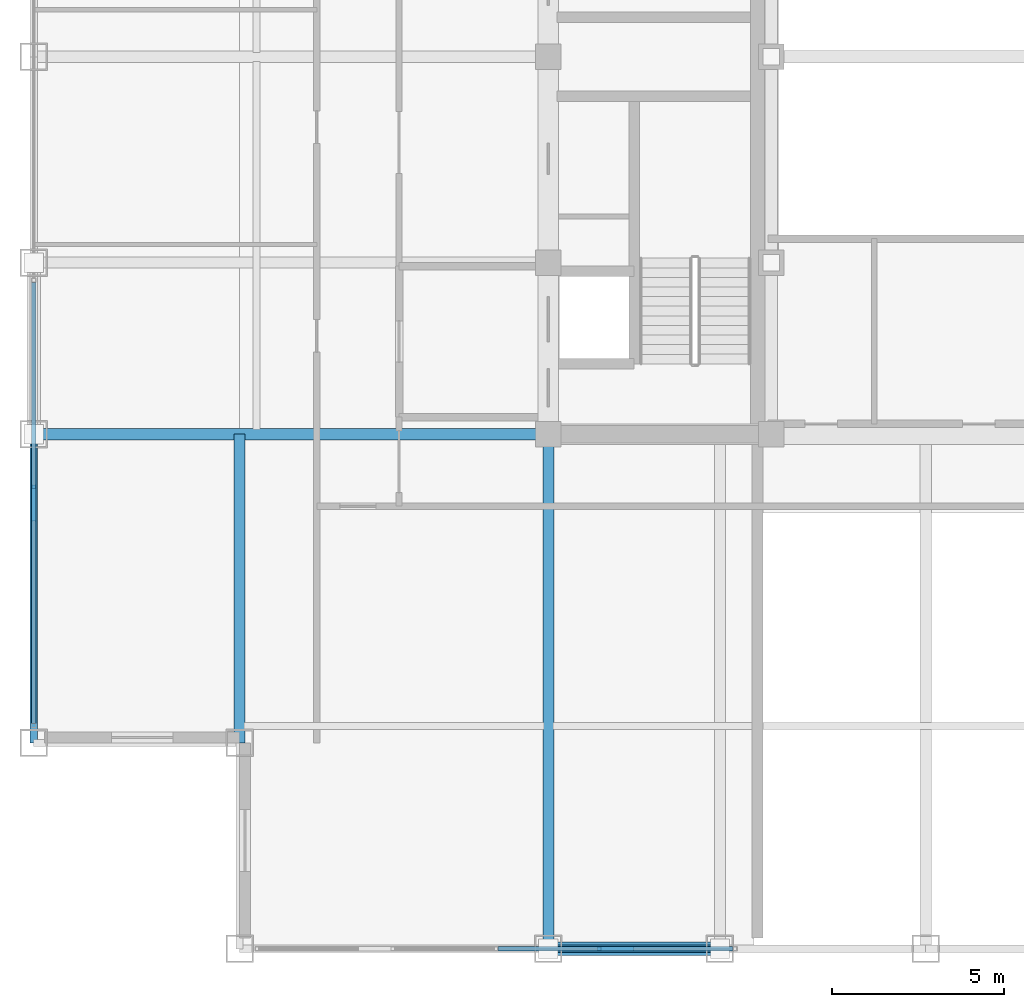
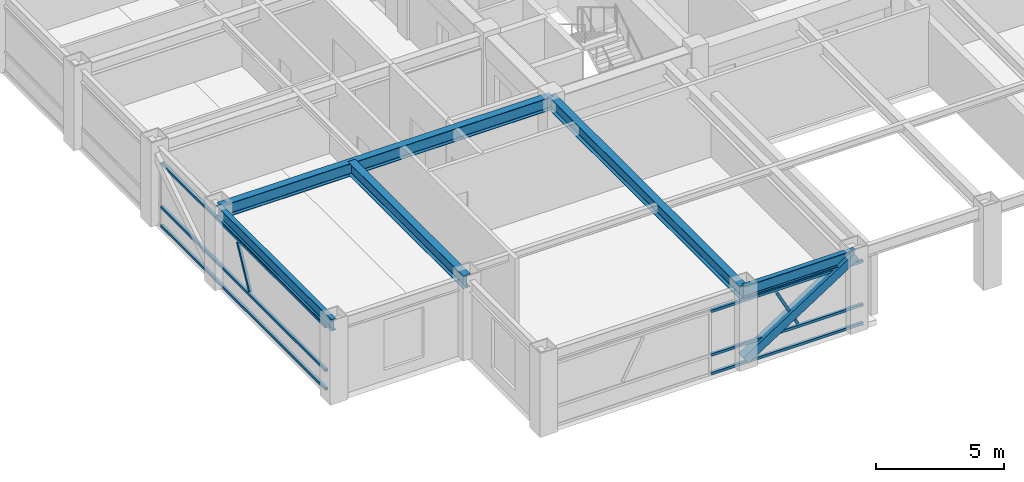
# One storey, part 3 of 29: 9 members, 5 beams, 2 elements without a shape of their own.
"""IFC4 building model written with IfcOpenShell, lengths in metres."""

from ifc_helpers import new_model, si_unit, direction, frame, origin, origin_2d, place, context, subcontext, project, spatial, hollow_rectangle, i_section, extrude, source, transform, mapped, material, material_profile, profile_set, type_object, element, aggregate, save


model = new_model("IFC4")

# Units and contexts
model_context = context("Model", 3, precision=1e-05, world=origin(), true_north=direction((0.0, 1.0)))
body_context = subcontext(model_context, "Body", "Model", "MODEL_VIEW")
ifc_project = project(units=[si_unit("LENGTHUNIT", "METRE"), si_unit("AREAUNIT", "SQUARE_METRE"), si_unit("VOLUMEUNIT", "CUBIC_METRE"), si_unit("PLANEANGLEUNIT", "RADIAN"), si_unit("MASSUNIT", "GRAM", prefix="KILO")], contexts=[model_context])

# Site, building, storey
site_placement = place(None, origin())
site = spatial("IfcSite", under=ifc_project, at=site_placement, CompositionType="ELEMENT")
building_placement = place(site_placement, origin())
building = spatial("IfcBuilding", under=site, at=building_placement, Name="Khorayat Bourse Tower", CompositionType="ELEMENT")
storey_placement = place(building_placement, frame((0.0, 0.0, 354.300048828125)))
storey = spatial("IfcBuildingStorey", under=building, at=storey_placement, Name="L84", CompositionType="ELEMENT", Elevation=354.300048828125)

# Beams
ifc_material_1 = material(Name="Steel ASTM A992 Grade 50", Category="steel")
ifc_material_profile_1 = material_profile(ifc_material_1, i_section(OverallWidth=0.214111328125, OverallDepth=0.549072265625, WebThickness=0.0146484375, FlangeThickness=0.023681640625, FilletRadius=0.013916015625, at=origin_2d()), Name="W530X138")
ifc_profile_set_1 = profile_set([ifc_material_profile_1], Name="Steel ASTM A992 Grade 50")
beam_type_1 = type_object("IfcBeamType", Name="BM-SPAN-530", PredefinedType="SPANDREL", material=ifc_profile_set_1)
shared_shape_1 = source(origin(), body_context, "Body", "SweptSolid", [
    extrude(i_section(OverallWidth=0.214111328125, OverallDepth=0.549072265625, WebThickness=0.0146484375, FlangeThickness=0.023681640625, FilletRadius=0.013916015625, at=origin_2d()), origin(), (0.0, 0.0, 1.0), 9.0),
])
beam_1_placement = place(storey_placement, frame((-26.0, -20.0, 3.46533203125), z_axis=(0.0, 1.0, 0.0), x_axis=(-1.0, 0.0, 0.0)))
element("IfcBeam", 1, at=beam_1_placement, inside=storey, type_object=beam_type_1, Name="L84 BM-SPAN-530 BM-L84-SPN-053", PredefinedType="SPANDREL", context=body_context, shape_type="MappedRepresentation", body=[
    mapped(shared_shape_1, transform((0.0, 0.0, 0.0), scale=1.0)),
])
shared_shape_2 = source(origin(), body_context, "Body", "SweptSolid", [
    extrude(i_section(OverallWidth=0.214111328125, OverallDepth=0.549072265625, WebThickness=0.0146484375, FlangeThickness=0.023681640625, FilletRadius=0.013916015625, at=origin_2d()), origin(), (0.0, 0.0, 1.0), 5.0),
])
beam_2_placement = place(storey_placement, frame((-11.0, -26.0, 3.46533203125), z_axis=(1.0, 0.0, 0.0), x_axis=(0.0, 1.0, 0.0)))
element("IfcBeam", 2, at=beam_2_placement, inside=storey, type_object=beam_type_1, Name="L84 BM-SPAN-530 BM-L84-SPN-025", PredefinedType="SPANDREL", context=body_context, shape_type="MappedRepresentation", body=[
    mapped(shared_shape_2, transform((0.0, 0.0, 0.0), scale=1.0)),
])
ifc_material_profile_2 = material_profile(ifc_material_1, i_section(OverallWidth=0.324951171875, OverallDepth=0.615966796875, WebThickness=0.013916015625, FlangeThickness=0.021484375, FilletRadius=0.01611328125, at=origin_2d()), Name="W610X174")
ifc_profile_set_2 = profile_set([ifc_material_profile_2], Name="Steel ASTM A992 Grade 50")
beam_type_2 = type_object("IfcBeamType", Name="BM-GIRD-610", PredefinedType="BEAM", material=ifc_profile_set_2)
shared_shape_3 = source(origin(), body_context, "Body", "SweptSolid", [
    extrude(i_section(OverallWidth=0.324951171875, OverallDepth=0.615966796875, WebThickness=0.013916015625, FlangeThickness=0.021484375, FilletRadius=0.01611328125, at=origin_2d()), origin(), (0.0, 0.0, 1.0), 15.0),
])
for number, where, z_axis, x_axis, name in (
    (3, (-11.0, -26.0, 3.431884765625), (0.0, 1.0, 0.0), (-1.0, 0.0, 0.0), "L84 BM-GIRD-610 BM-L84-RADY-057"),
    (4, (-26.0, -11.0, 3.431884765625), (1.0, 0.0, 0.0), (0.0, 1.0, 0.0), "L84 BM-GIRD-610 BM-L84-RADX-067"),
):
    element("IfcBeam", number, at=place(storey_placement, frame(where, z_axis=z_axis, x_axis=x_axis)), inside=storey, type_object=beam_type_2, Name=name, PredefinedType="BEAM", context=body_context, shape_type="MappedRepresentation", body=[
        mapped(shared_shape_3, transform((0.0, 0.0, 0.0), scale=1.0)),
    ])
shared_shape_4 = source(origin(), body_context, "Body", "SweptSolid", [
    extrude(i_section(OverallWidth=0.324951171875, OverallDepth=0.615966796875, WebThickness=0.013916015625, FlangeThickness=0.021484375, FilletRadius=0.01611328125, at=origin_2d()), origin(), (0.0, 0.0, 1.0), 9.0),
])
beam_3_placement = place(storey_placement, frame((-20.0, -20.0, 3.431884765625), z_axis=(0.0, 1.0, 0.0), x_axis=(-1.0, 0.0, 0.0)))
element("IfcBeam", 5, at=beam_3_placement, inside=storey, type_object=beam_type_2, Name="L84 BM-GIRD-610 BM-L84-CNRY-076", PredefinedType="BEAM", context=body_context, shape_type="MappedRepresentation", body=[
    mapped(shared_shape_4, transform((0.0, 0.0, 0.0), scale=1.0)),
])

# Member
ifc_material_2 = material(Name="Steel EN 10025-4 S460M", Category="steel")
ifc_material_profile_3 = material_profile(ifc_material_2, hollow_rectangle(XDim=0.39990234375, YDim=0.39990234375, WallThickness=0.02197265625, at=origin_2d()), Name="HSS 400x400x22")
ifc_profile_set_3 = profile_set([ifc_material_profile_3], Name="Steel EN 10025-4 S460M")
member_type_1 = type_object("IfcMemberType", Name="MBR-TUBE-400", PredefinedType="BRACE", material=ifc_profile_set_3)
shared_shape_5 = source(origin(), body_context, "Body", "SweptSolid", [
    extrude(hollow_rectangle(XDim=0.39990234375, YDim=0.39990234375, WallThickness=0.02197265625, at=origin_2d()), origin(), (0.0, 0.0, 1.0), 5.9580078125),
])
member_1_placement = place(storey_placement, frame((-11.0, -26.0, 0.25), z_axis=(0.839210474455, 0.0, 0.543806748364), x_axis=(0.0, 1.0, 0.0)))
element("IfcMember", 6, at=member_1_placement, inside=storey, type_object=member_type_1, Name="L84 Perimeter Tube Brace 01", PredefinedType="BRACE", context=body_context, shape_type="MappedRepresentation", body=[
    mapped(shared_shape_5, transform((0.0, 0.0, 0.0), scale=1.0)),
])

# Curtain wall, member
ifc_material_3 = material(Name="Aluminium EN AW-6063 T6", Category="aluminium")
curtain_wall_type = type_object("IfcCurtainWallType", Name="CW-SYS-06", PredefinedType="NOTDEFINED", material=ifc_material_3)
curtain_wall_1_placement = place(storey_placement, origin())
curtain_wall_1 = element("IfcCurtainWall", 7, at=curtain_wall_1_placement, inside=storey, type_object=curtain_wall_type, Name="L84 Curtain Wall CW-L84-S1", PredefinedType="NOTDEFINED")
ifc_material_profile_4 = material_profile(ifc_material_3, hollow_rectangle(XDim=0.1201171875, YDim=0.1201171875, WallThickness=0.0048828125, at=origin_2d()), Name="ALU 120x120x5")
ifc_profile_set_4 = profile_set([ifc_material_profile_4], Name="Aluminium EN AW-6063 T6")
member_type_2 = type_object("IfcMemberType", Name="CWM-DIAG-120", PredefinedType="MULLION", material=ifc_profile_set_4)
shared_shape_6 = source(origin(), body_context, "Body", "SweptSolid", [
    extrude(hollow_rectangle(XDim=0.1201171875, YDim=0.1201171875, WallThickness=0.0048828125, at=origin_2d()), origin(), (0.0, 0.0, 1.0), 2.0341796875),
])
member_2_placement = place(storey_placement, frame((-8.56884765625, -26.0, 1.08984375), z_axis=(-0.465696964104, 0.0, 0.884944256789), x_axis=(0.0, -1.0, 0.0)))
member_2 = element("IfcMember", 8, at=member_2_placement, type_object=member_type_2, Name="CW-L84-S1 Faceted Diagonal Mullion 2", PredefinedType="MULLION", context=body_context, shape_type="MappedRepresentation", body=[
    mapped(shared_shape_6, transform((0.0, 0.0, 0.0), scale=1.0)),
])

curtain_wall_2_placement = place(storey_placement, origin())
curtain_wall_2 = element("IfcCurtainWall", 9, at=curtain_wall_2_placement, inside=storey, type_object=curtain_wall_type, Name="L84 Curtain Wall CW-L84-W1", PredefinedType="NOTDEFINED")
member_3_placement = place(storey_placement, frame((-26.0, -13.47705078125, 1.08984375), z_axis=(0.0, 0.465790950955, 0.884894790361), x_axis=(-1.0, 0.0, 0.0)))
member_3 = element("IfcMember", 10, at=member_3_placement, type_object=member_type_2, Name="CW-L84-W1 Faceted Diagonal Mullion 3", PredefinedType="MULLION", context=body_context, shape_type="MappedRepresentation", body=[
    mapped(shared_shape_6, transform((0.0, 0.0, 0.0), scale=1.0)),
])

# Member
ifc_material_profile_5 = material_profile(ifc_material_3, hollow_rectangle(XDim=0.1201171875, YDim=0.1201171875, WallThickness=0.0048828125, at=origin_2d()), Name="ALU 120x120x5")
ifc_profile_set_5 = profile_set([ifc_material_profile_5], Name="Aluminium EN AW-6063 T6")
member_type_3 = type_object("IfcMemberType", Name="CWT-HORZ-120", PredefinedType="USERDEFINED", material=ifc_profile_set_5)
shared_shape_7 = source(origin(), body_context, "Body", "SweptSolid", [
    extrude(hollow_rectangle(XDim=0.1201171875, YDim=0.1201171875, WallThickness=0.0048828125, at=origin_2d()), origin(), (0.0, 0.0, 1.0), 6.844970703125),
])
member_4_placement = place(storey_placement, frame((-12.465087890625, -26.0, 0.06005859375), z_axis=(1.0, 0.0, 0.0), x_axis=(0.0, 1.0, 0.0)))
member_4 = element("IfcMember", 11, at=member_4_placement, type_object=member_type_3, Name="CW-L84-S1 Horizontal Transom 2-1", ObjectType="TRANSOM", PredefinedType="USERDEFINED", context=body_context, shape_type="MappedRepresentation", body=[
    mapped(shared_shape_7, transform((0.0, 0.0, 0.0), scale=1.0)),
])

member_5_placement = place(storey_placement, frame((-12.465087890625, -26.0, 0.949951171875), z_axis=(1.0, 0.0, 0.0), x_axis=(0.0, 1.0, 0.0)))
member_5 = element("IfcMember", 12, at=member_5_placement, type_object=member_type_3, Name="CW-L84-S1 Horizontal Transom 2-2", ObjectType="TRANSOM", PredefinedType="USERDEFINED", context=body_context, shape_type="MappedRepresentation", body=[
    mapped(shared_shape_7, transform((0.0, 0.0, 0.0), scale=1.0)),
])

member_6_placement = place(storey_placement, frame((-12.465087890625, -26.0, 3.030029296875), z_axis=(1.0, 0.0, 0.0), x_axis=(0.0, 1.0, 0.0)))
member_6 = element("IfcMember", 13, at=member_6_placement, type_object=member_type_3, Name="CW-L84-S1 Horizontal Transom 2-3", ObjectType="TRANSOM", PredefinedType="USERDEFINED", context=body_context, shape_type="MappedRepresentation", body=[
    mapped(shared_shape_7, transform((0.0, 0.0, 0.0), scale=1.0)),
])

aggregate(curtain_wall_1, [member_4, member_5, member_6, member_2])

shared_shape_8 = source(origin(), body_context, "Body", "SweptSolid", [
    extrude(hollow_rectangle(XDim=0.1201171875, YDim=0.1201171875, WallThickness=0.0048828125, at=origin_2d()), origin(), (0.0, 0.0, 1.0), 12.853271484375),
])
member_7_placement = place(storey_placement, frame((-26.0, -6.57666015625, 0.06005859375), z_axis=(0.0, -1.0, 0.0), x_axis=(1.0, 0.0, 0.0)))
member_7 = element("IfcMember", 14, at=member_7_placement, type_object=member_type_3, Name="CW-L84-W1 Horizontal Transom 3-1", ObjectType="TRANSOM", PredefinedType="USERDEFINED", context=body_context, shape_type="MappedRepresentation", body=[
    mapped(shared_shape_8, transform((0.0, 0.0, 0.0), scale=1.0)),
])

member_8_placement = place(storey_placement, frame((-26.0, -6.57666015625, 0.949951171875), z_axis=(0.0, -1.0, 0.0), x_axis=(1.0, 0.0, 0.0)))
member_8 = element("IfcMember", 15, at=member_8_placement, type_object=member_type_3, Name="CW-L84-W1 Horizontal Transom 3-2", ObjectType="TRANSOM", PredefinedType="USERDEFINED", context=body_context, shape_type="MappedRepresentation", body=[
    mapped(shared_shape_8, transform((0.0, 0.0, 0.0), scale=1.0)),
])

member_9_placement = place(storey_placement, frame((-26.0, -6.57666015625, 3.030029296875), z_axis=(0.0, -1.0, 0.0), x_axis=(1.0, 0.0, 0.0)))
member_9 = element("IfcMember", 16, at=member_9_placement, type_object=member_type_3, Name="CW-L84-W1 Horizontal Transom 3-3", ObjectType="TRANSOM", PredefinedType="USERDEFINED", context=body_context, shape_type="MappedRepresentation", body=[
    mapped(shared_shape_8, transform((0.0, 0.0, 0.0), scale=1.0)),
])

aggregate(curtain_wall_2, [member_7, member_8, member_9, member_3])

save(model, "model.ifc")
